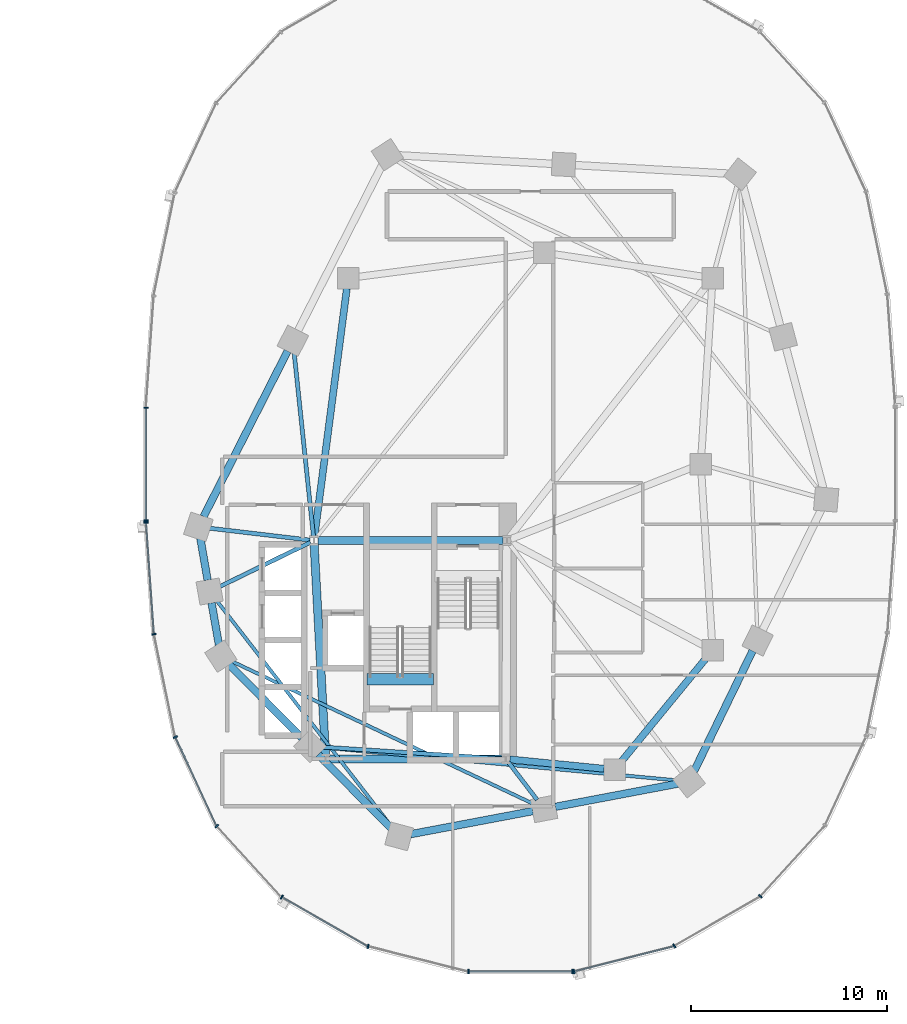
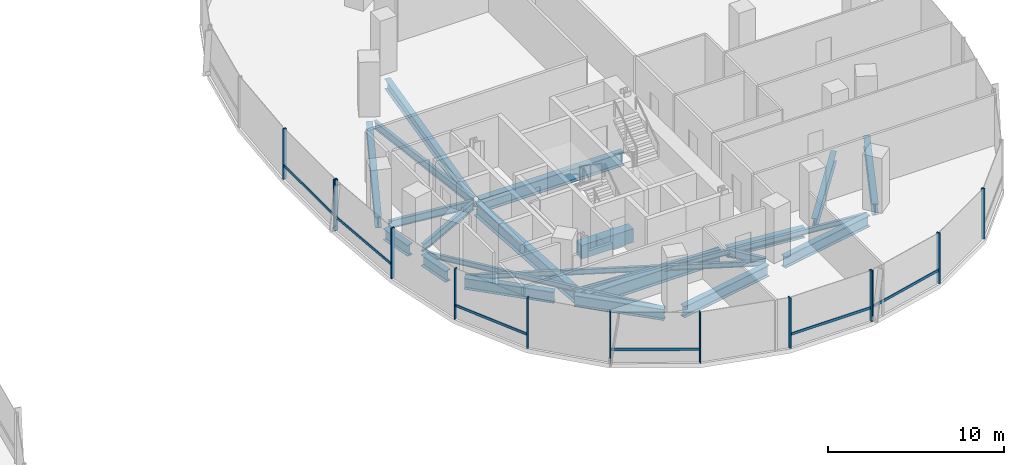
# One storey, part 5 of 21: 23 beams, 19 members, 3 elements without a shape of their own.
"""IFC4 building model written with IfcOpenShell, lengths in metres."""

from ifc_helpers import new_model, si_unit, direction, frame, origin, origin_2d, place, context, subcontext, project, spatial, rectangle, i_section, extrude, material, material_profile, profile_set, type_object, element, aggregate, save


model = new_model("IFC4")

# Units and contexts
model_context = context("Model", 3, precision=1e-05, world=origin(), true_north=direction((0.0, 1.0)))
body_context = subcontext(model_context, "Body", "Model", "MODEL_VIEW")
ifc_project = project(units=[si_unit("LENGTHUNIT", "METRE"), si_unit("AREAUNIT", "SQUARE_METRE"), si_unit("VOLUMEUNIT", "CUBIC_METRE"), si_unit("PLANEANGLEUNIT", "RADIAN"), si_unit("MASSUNIT", "GRAM", prefix="KILO"), si_unit("THERMODYNAMICTEMPERATUREUNIT", "KELVIN"), si_unit("POWERUNIT", "WATT")], contexts=[model_context])

# Site, building, storey
site_placement = place(None, origin())
site = spatial("IfcSite", under=ifc_project, at=site_placement, CompositionType="ELEMENT")
building_placement = place(site_placement, origin())
building = spatial("IfcBuilding", under=site, at=building_placement, Name="Cundina Bronze Exchange", CompositionType="ELEMENT")
storey_placement = place(building_placement, frame((0.0, 0.0, 31.60009765625)))
storey = spatial("IfcBuildingStorey", under=building, at=storey_placement, Name="L07", CompositionType="ELEMENT", Elevation=31.60009765625)

# Beams
ifc_material_1 = material(Name="Concrete C60/75", Category="concrete")
ifc_material_profile_1 = material_profile(ifc_material_1, rectangle(XDim=0.60009765625, YDim=0.949951171875, at=origin_2d()), Name="RC600X950", Category="concrete")
ifc_profile_set_1 = profile_set([ifc_material_profile_1], Name="Concrete C60/75")
beam_type_1 = type_object("IfcBeamType", Name="BM-COUP-RC950", PredefinedType="LINTEL", material=ifc_profile_set_1)
beam_1_placement = place(storey_placement, frame((24.159912109375, -10.97998046875, -0.47509765625), z_axis=(1.0, 0.0, 0.0), x_axis=(0.0, 1.0, 0.0)))
element("IfcBeam", 1, at=beam_1_placement, inside=storey, type_object=beam_type_1, Name="L07 Stair E2 Landing Header Beam", PredefinedType="LINTEL", context=body_context, shape_type="SweptSolid", body=[
    extrude(rectangle(XDim=0.60009765625, YDim=0.949951171875, at=origin_2d()), origin(), (0.0, 0.0, 1.0), 3.400146484375),
])
ifc_material_2 = material(Name="Steel ASTM A992 Grade 50", Category="steel")
ifc_material_profile_2 = material_profile(ifc_material_2, i_section(OverallWidth=0.2099609375, OverallDepth=0.532958984375, WebThickness=0.01025390625, FlangeThickness=0.015625, FilletRadius=0.013916015625, at=origin_2d()), Name="W21X62", Category="steel")
ifc_profile_set_2 = profile_set([ifc_material_profile_2], Name="Steel ASTM A992 Grade 50")
beam_type_2 = type_object("IfcBeamType", Name="BM-FLR-W21B", PredefinedType="BEAM", material=ifc_profile_set_2)
beam_2_placement = place(storey_placement, frame((21.247314453125, -3.8759765625, -0.566650390625), z_axis=(-0.993035236117, 0.117817739878, 0.0), x_axis=(-0.117817739878, -0.993035236117, 0.0)))
element("IfcBeam", 2, at=beam_2_placement, inside=storey, type_object=beam_type_2, Name="L07 Leg E Chordal Floor Beam 00", PredefinedType="BEAM", context=body_context, shape_type="SweptSolid", body=[
    extrude(i_section(OverallWidth=0.2099609375, OverallDepth=0.532958984375, WebThickness=0.01025390625, FlangeThickness=0.015625, FilletRadius=0.013916015625, at=origin_2d()), origin(), (0.0, 0.0, 1.0), 5.1494140625),
])
beam_3_placement = place(storey_placement, frame((21.2666015625, -3.989501953125, -0.566650390625), z_axis=(-0.898610249448, -0.438747785849, 0.0), x_axis=(0.438747785849, -0.898610249448, 0.0)))
element("IfcBeam", 3, at=beam_3_placement, inside=storey, type_object=beam_type_2, Name="L07 Leg E Chordal Floor Beam 01", PredefinedType="BEAM", context=body_context, shape_type="SweptSolid", body=[
    extrude(i_section(OverallWidth=0.2099609375, OverallDepth=0.532958984375, WebThickness=0.01025390625, FlangeThickness=0.015625, FilletRadius=0.013916015625, at=origin_2d()), origin(), (0.0, 0.0, 1.0), 5.1337890625),
])
beam_4_placement = place(storey_placement, frame((31.04638671875, -15.036865234375, -0.566650390625), z_axis=(-0.99789233798, 0.064891307594, 0.0), x_axis=(-0.064891307594, -0.99789233798, 0.0)))
element("IfcBeam", 4, at=beam_4_placement, inside=storey, type_object=beam_type_2, Name="L07 Leg E Chordal Floor Beam 03", PredefinedType="BEAM", context=body_context, shape_type="SweptSolid", body=[
    extrude(i_section(OverallWidth=0.2099609375, OverallDepth=0.532958984375, WebThickness=0.01025390625, FlangeThickness=0.015625, FilletRadius=0.013916015625, at=origin_2d()), origin(), (0.0, 0.0, 1.0), 9.22900390625),
])
beam_5_placement = place(storey_placement, frame((31.373779296875, -15.2119140625, -0.566650390625), z_axis=(0.607468844289, -0.794343504548, 0.0), x_axis=(0.794343504548, 0.607468844289, 0.0)))
element("IfcBeam", 5, at=beam_5_placement, inside=storey, type_object=beam_type_2, Name="L07 Leg E Chordal Floor Beam 05", PredefinedType="BEAM", context=body_context, shape_type="SweptSolid", body=[
    extrude(i_section(OverallWidth=0.2099609375, OverallDepth=0.532958984375, WebThickness=0.01025390625, FlangeThickness=0.015625, FilletRadius=0.013916015625, at=origin_2d()), origin(), (0.0, 0.0, 1.0), 2.418212890625),
])
beam_6_placement = place(storey_placement, frame((21.4287109375, -3.697021484375, -0.566650390625), z_axis=(-0.10483517787, 0.994489610544, 0.0), x_axis=(-0.994489610544, -0.10483517787, 0.0)))
element("IfcBeam", 6, at=beam_6_placement, inside=storey, type_object=beam_type_2, Name="L07 Leg E Chordal Floor Beam 13", PredefinedType="BEAM", context=body_context, shape_type="SweptSolid", body=[
    extrude(i_section(OverallWidth=0.2099609375, OverallDepth=0.532958984375, WebThickness=0.01025390625, FlangeThickness=0.015625, FilletRadius=0.013916015625, at=origin_2d()), origin(), (0.0, 0.0, 1.0), 9.46435546875),
])
ifc_material_profile_3 = material_profile(ifc_material_2, i_section(OverallWidth=0.172119140625, OverallDepth=0.35791015625, WebThickness=0.0078125, FlangeThickness=0.01318359375, FilletRadius=0.010009765625, at=origin_2d()), Name="W14X38", Category="steel")
ifc_profile_set_3 = profile_set([ifc_material_profile_3], Name="Steel ASTM A992 Grade 50")
beam_type_3 = type_object("IfcBeamType", Name="BM-JST-W14", PredefinedType="JOIST", material=ifc_profile_set_3)
beam_7_placement = place(storey_placement, frame((16.48486328125, -6.965087890625, -0.47900390625), z_axis=(0.612089386305, -0.790788583108, 0.0), x_axis=(0.790788583108, 0.612089386305, 0.0)))
element("IfcBeam", 7, at=beam_7_placement, inside=storey, type_object=beam_type_3, Name="L07 Leg E Lobe Floor Joist 01-04", PredefinedType="JOIST", context=body_context, shape_type="SweptSolid", body=[
    extrude(i_section(OverallWidth=0.172119140625, OverallDepth=0.35791015625, WebThickness=0.0078125, FlangeThickness=0.01318359375, FilletRadius=0.010009765625, at=origin_2d()), origin(), (0.0, 0.0, 1.0), 14.630859375),
])
beam_8_placement = place(storey_placement, frame((17.231689453125, -10.05126953125, -0.47900390625), z_axis=(0.904072668297, -0.427378766949, 0.0), x_axis=(0.427378766949, 0.904072668297, 0.0)))
element("IfcBeam", 8, at=beam_8_placement, inside=storey, type_object=beam_type_3, Name="L07 Leg E Lobe Floor Joist 02-05", PredefinedType="JOIST", context=body_context, shape_type="SweptSolid", body=[
    extrude(i_section(OverallWidth=0.172119140625, OverallDepth=0.35791015625, WebThickness=0.0078125, FlangeThickness=0.01318359375, FilletRadius=0.010009765625, at=origin_2d()), origin(), (0.0, 0.0, 1.0), 17.07470703125),
])
beam_9_placement = place(storey_placement, frame((21.83544921875, -14.45458984375, -0.47900390625), z_axis=(0.995701961644, -0.09261535282, 0.0), x_axis=(0.09261535282, 0.995701961644, 0.0)))
element("IfcBeam", 9, at=beam_9_placement, inside=storey, type_object=beam_type_3, Name="L07 Leg E Lobe Floor Joist 03-06", PredefinedType="JOIST", context=body_context, shape_type="SweptSolid", body=[
    extrude(i_section(OverallWidth=0.172119140625, OverallDepth=0.35791015625, WebThickness=0.0078125, FlangeThickness=0.01318359375, FilletRadius=0.010009765625, at=origin_2d()), origin(), (0.0, 0.0, 1.0), 18.25732421875),
])
ifc_material_profile_4 = material_profile(ifc_material_2, i_section(OverallWidth=0.35498046875, OverallDepth=0.695068359375, WebThickness=0.015380859375, FlangeThickness=0.02490234375, FilletRadius=0.01806640625, at=origin_2d()), Name="W27X146", Category="steel")
ifc_profile_set_4 = profile_set([ifc_material_profile_4], Name="Steel ASTM A992 Grade 50")
beam_type_4 = type_object("IfcBeamType", Name="BM-RING-W27", PredefinedType="USERDEFINED", material=ifc_profile_set_4)
beam_10_placement = place(storey_placement, frame((31.452880859375, -15.070068359375, -0.647705078125), z_axis=(0.995126271817, -0.098608839051, 0.0), x_axis=(0.098608839051, 0.995126271817, 0.0)))
element("IfcBeam", 10, at=beam_10_placement, inside=storey, type_object=beam_type_4, Name="L07 E Inner Structural Ring Girder 01", ObjectType="GIRDER", PredefinedType="USERDEFINED", context=body_context, shape_type="SweptSolid", body=[
    extrude(i_section(OverallWidth=0.35498046875, OverallDepth=0.695068359375, WebThickness=0.015380859375, FlangeThickness=0.02490234375, FilletRadius=0.01806640625, at=origin_2d()), origin(), (0.0, 0.0, 1.0), 4.83544921875),
])
beam_11_placement = place(storey_placement, frame((37.14111328125, -15.183837890625, -0.647705078125), z_axis=(0.633926549035, 0.773393257295, 0.0), x_axis=(-0.773393257295, 0.633926549035, 0.0)))
element("IfcBeam", 11, at=beam_11_placement, inside=storey, type_object=beam_type_4, Name="L07 E Inner Structural Ring Girder 02", ObjectType="GIRDER", PredefinedType="USERDEFINED", context=body_context, shape_type="SweptSolid", body=[
    extrude(i_section(OverallWidth=0.35498046875, OverallDepth=0.695068359375, WebThickness=0.015380859375, FlangeThickness=0.02490234375, FilletRadius=0.01806640625, at=origin_2d()), origin(), (0.0, 0.0, 1.0), 6.811279296875),
])
beam_12_placement = place(storey_placement, frame((23.13037109375, 8.966552734375, -0.647705078125), z_axis=(-0.129507526533, -0.99157843894, 0.0), x_axis=(0.99157843894, -0.129507526533, 0.0)))
element("IfcBeam", 12, at=beam_12_placement, inside=storey, type_object=beam_type_4, Name="L07 E Inner Structural Ring Girder 07", ObjectType="GIRDER", PredefinedType="USERDEFINED", context=body_context, shape_type="SweptSolid", body=[
    extrude(i_section(OverallWidth=0.35498046875, OverallDepth=0.695068359375, WebThickness=0.015380859375, FlangeThickness=0.02490234375, FilletRadius=0.01806640625, at=origin_2d()), origin(), (0.0, 0.0, 1.0), 12.77197265625),
])
ifc_material_profile_5 = material_profile(ifc_material_2, i_section(OverallWidth=0.381103515625, OverallDepth=0.77294921875, WebThickness=0.0166015625, FlangeThickness=0.027099609375, FilletRadius=0.01904296875, at=origin_2d()), Name="W30X173", Category="steel")
ifc_profile_set_5 = profile_set([ifc_material_profile_5], Name="Steel ASTM A992 Grade 50")
beam_type_5 = type_object("IfcBeamType", Name="BM-RING-W30", PredefinedType="USERDEFINED", material=ifc_profile_set_5)
for number, where, z_axis, x_axis, name in (
    (13, (15.65087890625, -3.779296875, -0.6865234375), (0.171734584051, -0.985143254883, 0.0), (0.985143254883, 0.171734584051, 0.0), "L07 E Perimeter Ring Girder 00"),
    (14, (16.225830078125, -7.079345703125, -0.6865234375), (0.171734584051, -0.985143254883, 0.0), (0.985143254883, 0.171734584051, 0.0), "L07 E Perimeter Ring Girder 01"),
):
    element("IfcBeam", number, at=place(storey_placement, frame(where, z_axis=z_axis, x_axis=x_axis)), inside=storey, type_object=beam_type_5, Name=name, ObjectType="GIRDER", PredefinedType="USERDEFINED", context=body_context, shape_type="SweptSolid", body=[
        extrude(i_section(OverallWidth=0.381103515625, OverallDepth=0.77294921875, WebThickness=0.0166015625, FlangeThickness=0.027099609375, FilletRadius=0.01904296875, at=origin_2d()), origin(), (0.0, 0.0, 1.0), 2.173583984375),
    ])
for number, where, z_axis, x_axis, name in (
    (15, (17.113525390625, -10.218017578125, -0.6865234375), (0.703222428859, -0.710969911845, 0.0), (0.710969911845, 0.703222428859, 0.0), "L07 E Perimeter Ring Girder 02"),
    (16, (21.66357421875, -14.818115234375, -0.6865234375), (0.703222428859, -0.710969911845, 0.0), (0.710969911845, 0.703222428859, 0.0), "L07 E Perimeter Ring Girder 03"),
):
    element("IfcBeam", number, at=place(storey_placement, frame(where, z_axis=z_axis, x_axis=x_axis)), inside=storey, type_object=beam_type_5, Name=name, ObjectType="GIRDER", PredefinedType="USERDEFINED", context=body_context, shape_type="SweptSolid", body=[
        extrude(i_section(OverallWidth=0.381103515625, OverallDepth=0.77294921875, WebThickness=0.0166015625, FlangeThickness=0.027099609375, FilletRadius=0.01904296875, at=origin_2d()), origin(), (0.0, 0.0, 1.0), 5.2939453125),
    ])
beam_13_placement = place(storey_placement, frame((26.377685546875, -18.890625, -0.6865234375), z_axis=(0.982570814598, 0.185888661031, 0.0), x_axis=(-0.185888661031, 0.982570814598, 0.0)))
element("IfcBeam", 17, at=beam_13_placement, inside=storey, type_object=beam_type_5, Name="L07 E Perimeter Ring Girder 04", ObjectType="GIRDER", PredefinedType="USERDEFINED", context=body_context, shape_type="SweptSolid", body=[
    extrude(i_section(OverallWidth=0.381103515625, OverallDepth=0.77294921875, WebThickness=0.0166015625, FlangeThickness=0.027099609375, FilletRadius=0.01904296875, at=origin_2d()), origin(), (0.0, 0.0, 1.0), 6.35546875),
])
beam_14_placement = place(storey_placement, frame((33.77783203125, -17.49072265625, -0.6865234375), z_axis=(0.982569487119, 0.185895677686, 0.0), x_axis=(-0.185895677686, 0.982569487119, 0.0)))
element("IfcBeam", 18, at=beam_14_placement, inside=storey, type_object=beam_type_5, Name="L07 E Perimeter Ring Girder 05", ObjectType="GIRDER", PredefinedType="USERDEFINED", context=body_context, shape_type="SweptSolid", body=[
    extrude(i_section(OverallWidth=0.381103515625, OverallDepth=0.77294921875, WebThickness=0.0166015625, FlangeThickness=0.027099609375, FilletRadius=0.01904296875, at=origin_2d()), origin(), (0.0, 0.0, 1.0), 6.355224609375),
])
beam_15_placement = place(storey_placement, frame((40.857177734375, -15.671142578125, -0.6865234375), z_axis=(0.437190698904, 0.899368830231, 0.0), x_axis=(-0.899368830231, 0.437190698904, 0.0)))
element("IfcBeam", 19, at=beam_15_placement, inside=storey, type_object=beam_type_5, Name="L07 E Perimeter Ring Girder 06", ObjectType="GIRDER", PredefinedType="USERDEFINED", context=body_context, shape_type="SweptSolid", body=[
    extrude(i_section(OverallWidth=0.381103515625, OverallDepth=0.77294921875, WebThickness=0.0166015625, FlangeThickness=0.027099609375, FilletRadius=0.01904296875, at=origin_2d()), origin(), (0.0, 0.0, 1.0), 6.82958984375),
])
beam_16_placement = place(storey_placement, frame((20.108642578125, 5.775634765625, -0.6865234375), z_axis=(-0.452819633606, -0.891602141889, 0.0), x_axis=(0.891602141889, -0.452819633606, 0.0)))
element("IfcBeam", 20, at=beam_16_placement, inside=storey, type_object=beam_type_5, Name="L07 E Perimeter Ring Girder 13", ObjectType="GIRDER", PredefinedType="USERDEFINED", context=body_context, shape_type="SweptSolid", body=[
    extrude(i_section(OverallWidth=0.381103515625, OverallDepth=0.77294921875, WebThickness=0.0166015625, FlangeThickness=0.027099609375, FilletRadius=0.01904296875, at=origin_2d()), origin(), (0.0, 0.0, 1.0), 9.47900390625),
])
ifc_material_profile_6 = material_profile(ifc_material_2, i_section(OverallWidth=0.41796875, OverallDepth=0.927001953125, WebThickness=0.019287109375, FlangeThickness=0.031982421875, FilletRadius=0.02392578125, at=origin_2d()), Name="W36X231", Category="steel")
ifc_profile_set_6 = profile_set([ifc_material_profile_6], Name="Steel ASTM A992 Grade 50")
beam_type_6 = type_object("IfcBeamType", Name="BM-WRN-W36B", PredefinedType="USERDEFINED", material=ifc_profile_set_6)
beam_17_placement = place(storey_placement, frame((31.095947265625, -3.89990234375, -0.763671875), z_axis=(-1.0, 0.0, 0.0), x_axis=(0.0, -1.0, 0.0)))
element("IfcBeam", 21, at=beam_17_placement, inside=storey, type_object=beam_type_6, Name="L07 E Core Perimeter Tie Girder 1", ObjectType="GIRDER", PredefinedType="USERDEFINED", context=body_context, shape_type="SweptSolid", body=[
    extrude(i_section(OverallWidth=0.41796875, OverallDepth=0.927001953125, WebThickness=0.019287109375, FlangeThickness=0.031982421875, FilletRadius=0.02392578125, at=origin_2d()), origin(), (0.0, 0.0, 1.0), 9.44189453125),
])
beam_18_placement = place(storey_placement, frame((21.4609375, -4.103759765625, -0.763671875), z_axis=(0.053739193498, -0.998555005537, 0.0), x_axis=(0.998555005537, 0.053739193498, 0.0)))
element("IfcBeam", 22, at=beam_18_placement, inside=storey, type_object=beam_type_6, Name="L07 E Core Perimeter Tie Girder 2", ObjectType="GIRDER", PredefinedType="USERDEFINED", context=body_context, shape_type="SweptSolid", body=[
    extrude(i_section(OverallWidth=0.41796875, OverallDepth=0.927001953125, WebThickness=0.019287109375, FlangeThickness=0.031982421875, FilletRadius=0.02392578125, at=origin_2d()), origin(), (0.0, 0.0, 1.0), 10.758056640625),
])
beam_19_placement = place(storey_placement, frame((22.25390625, -15.050048828125, -0.763671875), z_axis=(1.0, 0.0, 0.0), x_axis=(0.0, 1.0, 0.0)))
element("IfcBeam", 23, at=beam_19_placement, inside=storey, type_object=beam_type_6, Name="L07 E Core Perimeter Tie Girder 3", ObjectType="GIRDER", PredefinedType="USERDEFINED", context=body_context, shape_type="SweptSolid", body=[
    extrude(i_section(OverallWidth=0.41796875, OverallDepth=0.927001953125, WebThickness=0.019287109375, FlangeThickness=0.031982421875, FilletRadius=0.02392578125, at=origin_2d()), origin(), (0.0, 0.0, 1.0), 8.7919921875),
])

# Curtain wall, members
ifc_material_3 = material(Name="Anodised Bronze Aluminium 6063-T6", Category="aluminium")
curtain_wall_type = type_object("IfcCurtainWallType", Name="CWS-TRD-LOW", PredefinedType="NOTDEFINED", material=ifc_material_3)
curtain_wall_1_placement = place(storey_placement, origin())
curtain_wall_1 = element("IfcCurtainWall", 24, at=curtain_wall_1_placement, inside=storey, type_object=curtain_wall_type, Name="L07 CW-02 Curtain Wall Run CWR-L07-E2", PredefinedType="NOTDEFINED")
ifc_material_profile_7 = material_profile(ifc_material_3, rectangle(XDim=0.074951171875, YDim=0.219970703125, at=origin_2d()), Name="AL75X220", Category="aluminium")
ifc_profile_set_7 = profile_set([ifc_material_profile_7], Name="Anodised Bronze Aluminium 6063-T6")
member_type_1 = type_object("IfcMemberType", Name="CWM-MUL-220", PredefinedType="MULLION", material=ifc_profile_set_7)
member_1_placement = place(storey_placement, frame((12.8720703125, 2.880615234375, 0.0), z_axis=(0.0, 0.0, 1.0), x_axis=(0.0, -1.0, 0.0)))
member_1 = element("IfcMember", 25, at=member_1_placement, type_object=member_type_1, Name="CW-02 Mullion 7", PredefinedType="MULLION", context=body_context, shape_type="SweptSolid", body=[
    extrude(rectangle(XDim=0.074951171875, YDim=0.219970703125, at=origin_2d()), origin(), (0.0, 0.0, 1.0), 3.5),
])
member_2_placement = place(storey_placement, frame((12.8720703125, -2.880615234375, 0.0), z_axis=(0.0, 0.0, 1.0), x_axis=(0.0, -1.0, 0.0)))
member_2 = element("IfcMember", 26, at=member_2_placement, type_object=member_type_1, Name="CW-02 End Mullion", PredefinedType="MULLION", context=body_context, shape_type="SweptSolid", body=[
    extrude(rectangle(XDim=0.074951171875, YDim=0.219970703125, at=origin_2d()), origin(), (0.0, 0.0, 1.0), 3.5),
])

curtain_wall_2_placement = place(storey_placement, origin())
curtain_wall_2 = element("IfcCurtainWall", 27, at=curtain_wall_2_placement, inside=storey, type_object=curtain_wall_type, Name="L07 CW-02 Curtain Wall Run CWR-L07-E3", PredefinedType="NOTDEFINED")
member_3_placement = place(storey_placement, frame((12.87548828125, -2.976318359375, 0.0), z_axis=(0.0, 0.0, 1.0), x_axis=(0.070278787473, -0.997527389113, 0.0)))
member_3 = element("IfcMember", 28, at=member_3_placement, type_object=member_type_1, Name="CW-02 Mullion 1", PredefinedType="MULLION", context=body_context, shape_type="SweptSolid", body=[
    extrude(rectangle(XDim=0.074951171875, YDim=0.219970703125, at=origin_2d()), origin(), (0.0, 0.0, 1.0), 3.5),
])
member_4_placement = place(storey_placement, frame((13.282958984375, -8.67822265625, 0.0), z_axis=(0.0, 0.0, 1.0), x_axis=(0.201419845156, -0.979505000486, 0.0)))
member_4 = element("IfcMember", 29, at=member_4_placement, type_object=member_type_1, Name="CW-02 Mullion 2", PredefinedType="MULLION", context=body_context, shape_type="SweptSolid", body=[
    extrude(rectangle(XDim=0.074951171875, YDim=0.219970703125, at=origin_2d()), origin(), (0.0, 0.0, 1.0), 3.5),
])
member_5_placement = place(storey_placement, frame((14.3720703125, -13.931884765625, 0.0), z_axis=(0.0, 0.0, 1.0), x_axis=(0.42087749791, -0.907117485088, 0.0)))
member_5 = element("IfcMember", 30, at=member_5_placement, type_object=member_type_1, Name="CW-02 Mullion 3", PredefinedType="MULLION", context=body_context, shape_type="SweptSolid", body=[
    extrude(rectangle(XDim=0.074951171875, YDim=0.219970703125, at=origin_2d()), origin(), (0.0, 0.0, 1.0), 3.5),
])
member_6_placement = place(storey_placement, frame((16.491455078125, -18.47705078125, 0.0), z_axis=(0.0, 0.0, 1.0), x_axis=(0.674302387584, -0.738455340626, 0.0)))
member_6 = element("IfcMember", 31, at=member_6_placement, type_object=member_type_1, Name="CW-02 Mullion 4", PredefinedType="MULLION", context=body_context, shape_type="SweptSolid", body=[
    extrude(rectangle(XDim=0.074951171875, YDim=0.219970703125, at=origin_2d()), origin(), (0.0, 0.0, 1.0), 3.5),
])
member_7_placement = place(storey_placement, frame((19.810302734375, -22.097412109375, 0.0), z_axis=(0.0, 0.0, 1.0), x_axis=(0.867070701164, -0.498185105339, 0.0)))
member_7 = element("IfcMember", 32, at=member_7_placement, type_object=member_type_1, Name="CW-02 Mullion 5", PredefinedType="MULLION", context=body_context, shape_type="SweptSolid", body=[
    extrude(rectangle(XDim=0.074951171875, YDim=0.219970703125, at=origin_2d()), origin(), (0.0, 0.0, 1.0), 3.5),
])
member_8_placement = place(storey_placement, frame((24.21484375, -24.61669921875, 0.0), z_axis=(0.0, 0.0, 1.0), x_axis=(0.969488149345, -0.245138182011, 0.0)))
member_8 = element("IfcMember", 33, at=member_8_placement, type_object=member_type_1, Name="CW-02 Mullion 6", PredefinedType="MULLION", context=body_context, shape_type="SweptSolid", body=[
    extrude(rectangle(XDim=0.074951171875, YDim=0.219970703125, at=origin_2d()), origin(), (0.0, 0.0, 1.0), 3.5),
])
member_9_placement = place(storey_placement, frame((29.345458984375, -25.905029296875, 0.0), z_axis=(0.0, 0.0, 1.0), x_axis=(1.0, 0.0, 0.0)))
member_9 = element("IfcMember", 34, at=member_9_placement, type_object=member_type_1, Name="CW-02 Mullion 7", PredefinedType="MULLION", context=body_context, shape_type="SweptSolid", body=[
    extrude(rectangle(XDim=0.074951171875, YDim=0.219970703125, at=origin_2d()), origin(), (0.0, 0.0, 1.0), 3.5),
])
member_10_placement = place(storey_placement, frame((34.654541015625, -25.905029296875, 0.0), z_axis=(0.0, 0.0, 1.0), x_axis=(1.0, 0.0, 0.0)))
member_10 = element("IfcMember", 35, at=member_10_placement, type_object=member_type_1, Name="CW-02 End Mullion", PredefinedType="MULLION", context=body_context, shape_type="SweptSolid", body=[
    extrude(rectangle(XDim=0.074951171875, YDim=0.219970703125, at=origin_2d()), origin(), (0.0, 0.0, 1.0), 3.5),
])

curtain_wall_3_placement = place(storey_placement, origin())
curtain_wall_3 = element("IfcCurtainWall", 36, at=curtain_wall_3_placement, inside=storey, type_object=curtain_wall_type, Name="L07 CW-02 Curtain Wall Run CWR-L07-E4", PredefinedType="NOTDEFINED")
member_11_placement = place(storey_placement, frame((34.72607421875, -25.89599609375, 0.0), z_axis=(0.0, 0.0, 1.0), x_axis=(0.969488149345, 0.245138182011, 0.0)))
member_11 = element("IfcMember", 37, at=member_11_placement, type_object=member_type_1, Name="CW-02 Mullion 1", PredefinedType="MULLION", context=body_context, shape_type="SweptSolid", body=[
    extrude(rectangle(XDim=0.074951171875, YDim=0.219970703125, at=origin_2d()), origin(), (0.0, 0.0, 1.0), 3.5),
])
member_12_placement = place(storey_placement, frame((39.848876953125, -24.591064453125, 0.0), z_axis=(0.0, 0.0, 1.0), x_axis=(0.867070701164, 0.498185105339, 0.0)))
member_12 = element("IfcMember", 38, at=member_12_placement, type_object=member_type_1, Name="CW-02 Mullion 2", PredefinedType="MULLION", context=body_context, shape_type="SweptSolid", body=[
    extrude(rectangle(XDim=0.074951171875, YDim=0.219970703125, at=origin_2d()), origin(), (0.0, 0.0, 1.0), 3.5),
])
member_13_placement = place(storey_placement, frame((44.239501953125, -22.0576171875, 0.0), z_axis=(0.0, 0.0, 1.0), x_axis=(0.674302387584, 0.738455340626, 0.0)))
member_13 = element("IfcMember", 39, at=member_13_placement, type_object=member_type_1, Name="CW-02 Mullion 3", PredefinedType="MULLION", context=body_context, shape_type="SweptSolid", body=[
    extrude(rectangle(XDim=0.074951171875, YDim=0.219970703125, at=origin_2d()), origin(), (0.0, 0.0, 1.0), 3.5),
])

# Member
ifc_material_profile_8 = material_profile(ifc_material_3, rectangle(XDim=0.070068359375, YDim=0.179931640625, at=origin_2d()), Name="AL70X180", Category="aluminium")
ifc_profile_set_8 = profile_set([ifc_material_profile_8], Name="Anodised Bronze Aluminium 6063-T6")
member_type_2 = type_object("IfcMemberType", Name="CWM-TRN-180", PredefinedType="USERDEFINED", material=ifc_profile_set_8)
member_14_placement = place(storey_placement, frame((12.8720703125, 2.839111328125, 0.919921875), z_axis=(0.0, -1.0, 0.0), x_axis=(1.0, 0.0, 0.0)))
member_14 = element("IfcMember", 40, at=member_14_placement, type_object=member_type_2, Name="CW-02 Spandrel Transom 7", ObjectType="TRANSOM", PredefinedType="USERDEFINED", context=body_context, shape_type="SweptSolid", body=[
    extrude(rectangle(XDim=0.070068359375, YDim=0.179931640625, at=origin_2d()), origin(), (0.0, 0.0, 1.0), 5.67822265625),
])

aggregate(curtain_wall_1, [member_1, member_2, member_14])

member_15_placement = place(storey_placement, frame((12.87841796875, -3.017333984375, 0.919921875), z_axis=(0.070260714471, -0.997528662246, 0.0), x_axis=(0.997528662246, 0.070260714471, 0.0)))
member_15 = element("IfcMember", 41, at=member_15_placement, type_object=member_type_2, Name="CW-02 Spandrel Transom 1", ObjectType="TRANSOM", PredefinedType="USERDEFINED", context=body_context, shape_type="SweptSolid", body=[
    extrude(rectangle(XDim=0.070068359375, YDim=0.179931640625, at=origin_2d()), origin(), (0.0, 0.0, 1.0), 5.629150390625),
])

member_16_placement = place(storey_placement, frame((14.389404296875, -13.96923828125, 0.919921875), z_axis=(0.420811422796, -0.907148139195, 0.0), x_axis=(0.907148139195, 0.420811422796, 0.0)))
member_16 = element("IfcMember", 42, at=member_16_placement, type_object=member_type_2, Name="CW-02 Spandrel Transom 3", ObjectType="TRANSOM", PredefinedType="USERDEFINED", context=body_context, shape_type="SweptSolid", body=[
    extrude(rectangle(XDim=0.070068359375, YDim=0.179931640625, at=origin_2d()), origin(), (0.0, 0.0, 1.0), 4.95166015625),
])

member_17_placement = place(storey_placement, frame((19.845947265625, -22.117919921875, 0.919921875), z_axis=(0.867097475651, -0.498138502546, 0.0), x_axis=(0.498138502546, 0.867097475651, 0.0)))
member_17 = element("IfcMember", 43, at=member_17_placement, type_object=member_type_2, Name="CW-02 Spandrel Transom 5", ObjectType="TRANSOM", PredefinedType="USERDEFINED", context=body_context, shape_type="SweptSolid", body=[
    extrude(rectangle(XDim=0.070068359375, YDim=0.179931640625, at=origin_2d()), origin(), (0.0, 0.0, 1.0), 5.00634765625),
])

member_18_placement = place(storey_placement, frame((29.38671875, -25.905029296875, 0.919921875), z_axis=(1.0, 0.0, 0.0), x_axis=(0.0, 1.0, 0.0)))
member_18 = element("IfcMember", 44, at=member_18_placement, type_object=member_type_2, Name="CW-02 Spandrel Transom 7", ObjectType="TRANSOM", PredefinedType="USERDEFINED", context=body_context, shape_type="SweptSolid", body=[
    extrude(rectangle(XDim=0.070068359375, YDim=0.179931640625, at=origin_2d()), origin(), (0.0, 0.0, 1.0), 5.2265625),
])

aggregate(curtain_wall_2, [member_3, member_15, member_4, member_5, member_16, member_6, member_7, member_17, member_8, member_9, member_10, member_18])

member_19_placement = place(storey_placement, frame((34.76611328125, -25.885986328125, 0.919921875), z_axis=(0.969483968866, 0.245154714644, 0.0), x_axis=(-0.245154714644, 0.969483968866, 0.0)))
member_19 = element("IfcMember", 45, at=member_19_placement, type_object=member_type_2, Name="CW-02 Spandrel Transom 1", ObjectType="TRANSOM", PredefinedType="USERDEFINED", context=body_context, shape_type="SweptSolid", body=[
    extrude(rectangle(XDim=0.070068359375, YDim=0.179931640625, at=origin_2d()), origin(), (0.0, 0.0, 1.0), 5.21826171875),
])

aggregate(curtain_wall_3, [member_11, member_19, member_12, member_13])

save(model, "model.ifc")
